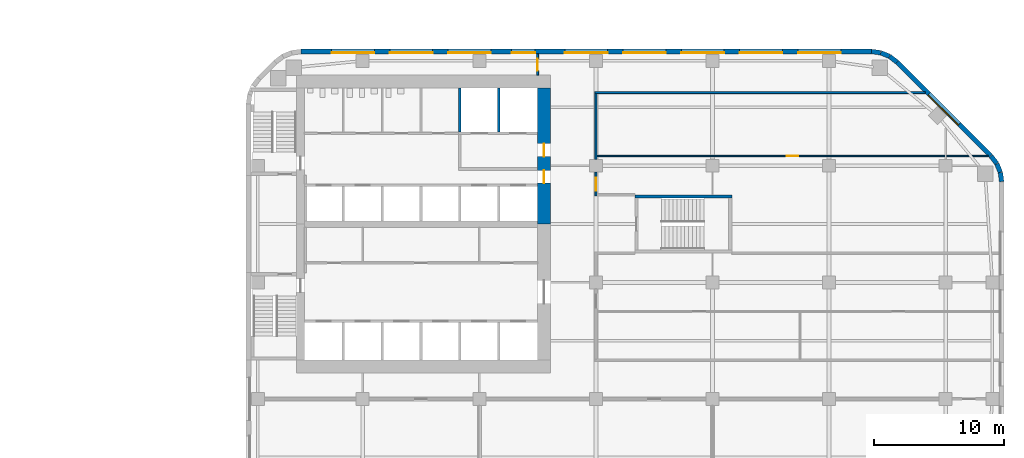
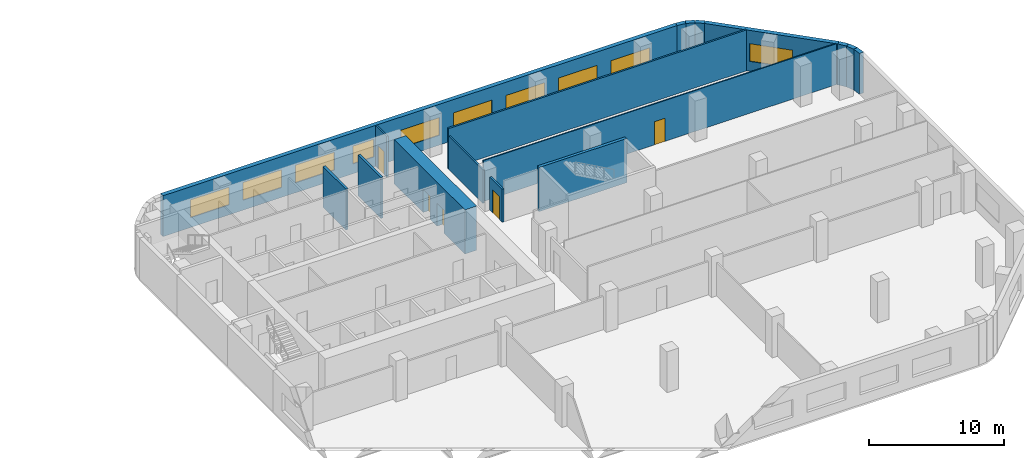
# One storey, part 11 of 15: 17 walls, 10 windows, 5 doors, 15 openings.
"""IFC4 building model written with IfcOpenShell, lengths in metres."""

from ifc_helpers import new_model, si_unit, direction, frame, frame_2d, origin, place, context, subcontext, project, spatial, rectangle, extrude, material, layer, layer_set, type_object, element, fill, save


model = new_model("IFC4")

# Units and contexts
model_context = context("Model", 3, precision=1e-05, world=origin(), true_north=direction((0.0, 1.0)))
body_context = subcontext(model_context, "Body", "Model", "MODEL_VIEW")
ifc_project = project(units=[si_unit("LENGTHUNIT", "METRE"), si_unit("AREAUNIT", "SQUARE_METRE"), si_unit("VOLUMEUNIT", "CUBIC_METRE"), si_unit("PLANEANGLEUNIT", "RADIAN"), si_unit("MASSUNIT", "GRAM", prefix="KILO")], contexts=[model_context])

# Site, building, storey
site_placement = place(None, origin())
site = spatial("IfcSite", under=ifc_project, at=site_placement, CompositionType="ELEMENT")
building_placement = place(site_placement, origin())
building = spatial("IfcBuilding", under=site, at=building_placement, Name="Cinnabar Reach Civic Tower", CompositionType="ELEMENT")
storey_placement = place(building_placement, frame((0.0, 0.0, 91.0)))
storey = spatial("IfcBuildingStorey", under=building, at=storey_placement, Name="L21", CompositionType="ELEMENT", Elevation=91.0)

# Walls
ifc_material_1 = material(Name="Facing brick with insulated backing", Category="masonry")
ifc_layer_1 = layer(ifc_material_1, 0.36)
ifc_layer_set_1 = layer_set([ifc_layer_1], Name="Brick corner wall")
wall_type_1 = type_object("IfcWallType", Name="Brick corner wall", PredefinedType="STANDARD", material=ifc_layer_set_1)
for number, where, z_axis, x_axis, name in (
    (1, (58.317, 34.7686, 0.0), (0.0, 0.0, 1.0), (-0.13055608231, 0.99144092581, 0.0), "Brick corner wall"),
    (2, (58.2181, 35.4973, 0.0), (0.0, 0.0, 1.0), (-0.382702709855, 0.923871547278, 0.0), "Brick corner wall"),
):
    element("IfcWall", number, at=place(storey_placement, frame(where, z_axis=z_axis, x_axis=x_axis)), inside=storey, type_object=wall_type_1, Name=name, PredefinedType="STANDARD", context=body_context, shape_type="SweptSolid", body=[
        extrude(rectangle(XDim=0.7131, YDim=0.36, at=frame_2d((0.3565, 0.0))), origin(), (0.0, 0.0, 1.0), 3.7),
    ])
for number, where, z_axis, x_axis, name in (
    (3, (57.934, 36.1755, 0.0), (0.0, 0.0, 1.0), (-0.608802368033, 0.793321924995, 0.0), "Brick corner wall"),
    (4, (50.2413, 43.9998, 0.0), (0.0, 0.0, 1.0), (-0.793321924995, 0.608802368033, 0.0), "Brick corner wall"),
):
    element("IfcWall", number, at=place(storey_placement, frame(where, z_axis=z_axis, x_axis=x_axis)), inside=storey, type_object=wall_type_1, Name=name, PredefinedType="STANDARD", context=body_context, shape_type="SweptSolid", body=[
        extrude(rectangle(XDim=0.7132, YDim=0.36, at=frame_2d((0.3566, 0.0))), origin(), (0.0, 0.0, 1.0), 3.7),
    ])
for number, where, z_axis, x_axis, name in (
    (5, (49.6561, 44.4452, 0.0), (0.0, 0.0, 1.0), (-0.923871547278, 0.382702709855, 0.0), "Brick corner wall"),
    (6, (48.9756, 44.7239, 0.0), (0.0, 0.0, 1.0), (-0.99144092581, 0.13055608231, 0.0), "Brick corner wall"),
):
    element("IfcWall", number, at=place(storey_placement, frame(where, z_axis=z_axis, x_axis=x_axis)), inside=storey, type_object=wall_type_1, Name=name, PredefinedType="STANDARD", context=body_context, shape_type="SweptSolid", body=[
        extrude(rectangle(XDim=0.7131, YDim=0.36, at=frame_2d((0.3565, 0.0))), origin(), (0.0, 0.0, 1.0), 3.7),
    ])

# Wall, opening, window
ifc_layer_2 = layer(ifc_material_1, 0.36)
ifc_layer_set_2 = layer_set([ifc_layer_2], Name="Brick pier and spandrel wall")
wall_type_2 = type_object("IfcWallType", Name="Brick pier and spandrel wall", PredefinedType="STANDARD", material=ifc_layer_set_2)
wall_1_placement = place(storey_placement, frame((57.494, 36.7514, 0.0), z_axis=(0.0, 0.0, 1.0), x_axis=(-0.707106781187, 0.707106781187, 0.0)))
wall_1 = element("IfcWall", 7, at=wall_1_placement, inside=storey, type_object=wall_type_2, Name="Brick facade wall", PredefinedType="STANDARD", context=body_context, shape_type="SweptSolid", body=[
    extrude(rectangle(XDim=10.2426, YDim=0.36, at=frame_2d((5.1213, 0.0))), origin(), (0.0, 0.0, 1.0), 3.7),
])
opening_1_placement = place(wall_1_placement, frame((3.4713, 0.0, 0.9)))
opening_1 = element("IfcOpeningElement", 8, at=opening_1_placement, cuts=wall_1, Name="Opening W1443", PredefinedType="OPENING", context=body_context, shape_type="SweptSolid", body=[
    extrude(rectangle(XDim=3.3, YDim=1.6, at=frame_2d((1.65, 0.8))), frame((0.0, 0.19, 0.0), z_axis=(0.0, -1.0, 0.0), x_axis=(1.0, 0.0, 0.0)), (0.0, 0.0, 1.0), 0.38),
])
ifc_material_2 = material(Name="Clear double glazing in aluminium frame", Category="aluminium")
window_type_1 = type_object("IfcWindowType", Name="Deep-set window A", PartitioningType="SINGLE_PANEL", PredefinedType="WINDOW", material=ifc_material_2)
window_1_placement = place(opening_1_placement, origin())
window_1 = element("IfcWindow", 9, at=window_1_placement, inside=storey, type_object=window_type_1, Name="Window northeast face", OverallHeight=1.6, OverallWidth=3.3, PartitioningType="SINGLE_PANEL", PredefinedType="WINDOW", context=body_context, shape_type="SweptSolid", body=[
    extrude(rectangle(XDim=3.3, YDim=1.6, at=frame_2d((1.65, 0.8))), frame((0.0, 0.13, 0.0), z_axis=(0.0, -1.0, 0.0), x_axis=(1.0, 0.0, 0.0)), (0.0, 0.0, 1.0), 0.06),
])
fill(opening_1, window_1)

# Wall, openings, windows
wall_2_placement = place(storey_placement, frame((48.2574, 44.82, 0.0), z_axis=(0.0, 0.0, 1.0), x_axis=(-1.0, 0.0, 0.0)))
wall_2 = element("IfcWall", 10, at=wall_2_placement, inside=storey, type_object=wall_type_2, Name="Brick facade wall", PredefinedType="STANDARD", context=body_context, shape_type="SweptSolid", body=[
    extrude(rectangle(XDim=44.0148, YDim=0.36, at=frame_2d((22.0074, 0.0))), origin(), (0.0, 0.0, 1.0), 3.7),
])
opening_2_placement = place(wall_2_placement, frame((2.3574, 0.0, 0.9)))
opening_2 = element("IfcOpeningElement", 11, at=opening_2_placement, cuts=wall_2, Name="Opening W1444", PredefinedType="OPENING", context=body_context, shape_type="SweptSolid", body=[
    extrude(rectangle(XDim=3.3, YDim=1.6, at=frame_2d((1.65, 0.8))), frame((0.0, 0.19, 0.0), z_axis=(0.0, -1.0, 0.0), x_axis=(1.0, 0.0, 0.0)), (0.0, 0.0, 1.0), 0.38),
])
opening_3_placement = place(wall_2_placement, frame((6.8574, 0.0, 0.9)))
opening_3 = element("IfcOpeningElement", 12, at=opening_3_placement, cuts=wall_2, Name="Opening W1445", PredefinedType="OPENING", context=body_context, shape_type="SweptSolid", body=[
    extrude(rectangle(XDim=3.3, YDim=1.6, at=frame_2d((1.65, 0.8))), frame((0.0, 0.19, 0.0), z_axis=(0.0, -1.0, 0.0), x_axis=(1.0, 0.0, 0.0)), (0.0, 0.0, 1.0), 0.38),
])
opening_4_placement = place(wall_2_placement, frame((11.3574, 0.0, 0.9)))
opening_4 = element("IfcOpeningElement", 13, at=opening_4_placement, cuts=wall_2, Name="Opening W1446", PredefinedType="OPENING", context=body_context, shape_type="SweptSolid", body=[
    extrude(rectangle(XDim=3.3, YDim=1.6, at=frame_2d((1.65, 0.8))), frame((0.0, 0.19, 0.0), z_axis=(0.0, -1.0, 0.0), x_axis=(1.0, 0.0, 0.0)), (0.0, 0.0, 1.0), 0.38),
])
opening_5_placement = place(wall_2_placement, frame((15.8574, 0.0, 0.9)))
opening_5 = element("IfcOpeningElement", 14, at=opening_5_placement, cuts=wall_2, Name="Opening W1447", PredefinedType="OPENING", context=body_context, shape_type="SweptSolid", body=[
    extrude(rectangle(XDim=3.3, YDim=1.6, at=frame_2d((1.65, 0.8))), frame((0.0, 0.19, 0.0), z_axis=(0.0, -1.0, 0.0), x_axis=(1.0, 0.0, 0.0)), (0.0, 0.0, 1.0), 0.38),
])
opening_6_placement = place(wall_2_placement, frame((20.3574, 0.0, 0.9)))
opening_6 = element("IfcOpeningElement", 15, at=opening_6_placement, cuts=wall_2, Name="Opening W1448", PredefinedType="OPENING", context=body_context, shape_type="SweptSolid", body=[
    extrude(rectangle(XDim=3.3, YDim=1.6, at=frame_2d((1.65, 0.8))), frame((0.0, 0.19, 0.0), z_axis=(0.0, -1.0, 0.0), x_axis=(1.0, 0.0, 0.0)), (0.0, 0.0, 1.0), 0.38),
])
opening_7_placement = place(wall_2_placement, frame((25.9574, 0.0, 0.9)))
opening_7 = element("IfcOpeningElement", 16, at=opening_7_placement, cuts=wall_2, Name="Opening W1449", PredefinedType="OPENING", context=body_context, shape_type="SweptSolid", body=[
    extrude(rectangle(XDim=1.8, YDim=1.6, at=frame_2d((0.9, 0.8))), frame((0.0, 0.19, 0.0), z_axis=(0.0, -1.0, 0.0), x_axis=(1.0, 0.0, 0.0)), (0.0, 0.0, 1.0), 0.38),
])
opening_8_placement = place(wall_2_placement, frame((29.3574, 0.0, 0.9)))
opening_8 = element("IfcOpeningElement", 17, at=opening_8_placement, cuts=wall_2, Name="Opening W1450", PredefinedType="OPENING", context=body_context, shape_type="SweptSolid", body=[
    extrude(rectangle(XDim=3.3, YDim=1.6, at=frame_2d((1.65, 0.8))), frame((0.0, 0.19, 0.0), z_axis=(0.0, -1.0, 0.0), x_axis=(1.0, 0.0, 0.0)), (0.0, 0.0, 1.0), 0.38),
])
opening_9_placement = place(wall_2_placement, frame((33.8574, 0.0, 0.9)))
opening_9 = element("IfcOpeningElement", 18, at=opening_9_placement, cuts=wall_2, Name="Opening W1451", PredefinedType="OPENING", context=body_context, shape_type="SweptSolid", body=[
    extrude(rectangle(XDim=3.3, YDim=1.6, at=frame_2d((1.65, 0.8))), frame((0.0, 0.19, 0.0), z_axis=(0.0, -1.0, 0.0), x_axis=(1.0, 0.0, 0.0)), (0.0, 0.0, 1.0), 0.38),
])
opening_10_placement = place(wall_2_placement, frame((38.3574, 0.0, 0.9)))
opening_10 = element("IfcOpeningElement", 19, at=opening_10_placement, cuts=wall_2, Name="Opening W1452", PredefinedType="OPENING", context=body_context, shape_type="SweptSolid", body=[
    extrude(rectangle(XDim=3.3, YDim=1.6, at=frame_2d((1.65, 0.8))), frame((0.0, 0.19, 0.0), z_axis=(0.0, -1.0, 0.0), x_axis=(1.0, 0.0, 0.0)), (0.0, 0.0, 1.0), 0.38),
])
window_2_placement = place(opening_2_placement, origin())
window_2 = element("IfcWindow", 20, at=window_2_placement, inside=storey, type_object=window_type_1, Name="Window north face", OverallHeight=1.6, OverallWidth=3.3, PartitioningType="SINGLE_PANEL", PredefinedType="WINDOW", context=body_context, shape_type="SweptSolid", body=[
    extrude(rectangle(XDim=3.3, YDim=1.6, at=frame_2d((1.65, 0.8))), frame((0.0, 0.13, 0.0), z_axis=(0.0, -1.0, 0.0), x_axis=(1.0, 0.0, 0.0)), (0.0, 0.0, 1.0), 0.06),
])
fill(opening_2, window_2)
window_3_placement = place(opening_3_placement, origin())
window_3 = element("IfcWindow", 21, at=window_3_placement, inside=storey, type_object=window_type_1, Name="Window north face", OverallHeight=1.6, OverallWidth=3.3, PartitioningType="SINGLE_PANEL", PredefinedType="WINDOW", context=body_context, shape_type="SweptSolid", body=[
    extrude(rectangle(XDim=3.3, YDim=1.6, at=frame_2d((1.65, 0.8))), frame((0.0, 0.13, 0.0), z_axis=(0.0, -1.0, 0.0), x_axis=(1.0, 0.0, 0.0)), (0.0, 0.0, 1.0), 0.06),
])
fill(opening_3, window_3)
window_4_placement = place(opening_4_placement, origin())
window_4 = element("IfcWindow", 22, at=window_4_placement, inside=storey, type_object=window_type_1, Name="Window north face", OverallHeight=1.6, OverallWidth=3.3, PartitioningType="SINGLE_PANEL", PredefinedType="WINDOW", context=body_context, shape_type="SweptSolid", body=[
    extrude(rectangle(XDim=3.3, YDim=1.6, at=frame_2d((1.65, 0.8))), frame((0.0, 0.13, 0.0), z_axis=(0.0, -1.0, 0.0), x_axis=(1.0, 0.0, 0.0)), (0.0, 0.0, 1.0), 0.06),
])
fill(opening_4, window_4)
window_5_placement = place(opening_5_placement, origin())
window_5 = element("IfcWindow", 23, at=window_5_placement, inside=storey, type_object=window_type_1, Name="Window north face", OverallHeight=1.6, OverallWidth=3.3, PartitioningType="SINGLE_PANEL", PredefinedType="WINDOW", context=body_context, shape_type="SweptSolid", body=[
    extrude(rectangle(XDim=3.3, YDim=1.6, at=frame_2d((1.65, 0.8))), frame((0.0, 0.13, 0.0), z_axis=(0.0, -1.0, 0.0), x_axis=(1.0, 0.0, 0.0)), (0.0, 0.0, 1.0), 0.06),
])
fill(opening_5, window_5)
window_6_placement = place(opening_6_placement, origin())
window_6 = element("IfcWindow", 24, at=window_6_placement, inside=storey, type_object=window_type_1, Name="Window north face", OverallHeight=1.6, OverallWidth=3.3, PartitioningType="SINGLE_PANEL", PredefinedType="WINDOW", context=body_context, shape_type="SweptSolid", body=[
    extrude(rectangle(XDim=3.3, YDim=1.6, at=frame_2d((1.65, 0.8))), frame((0.0, 0.13, 0.0), z_axis=(0.0, -1.0, 0.0), x_axis=(1.0, 0.0, 0.0)), (0.0, 0.0, 1.0), 0.06),
])
fill(opening_6, window_6)
window_7_placement = place(opening_8_placement, origin())
window_7 = element("IfcWindow", 25, at=window_7_placement, inside=storey, type_object=window_type_1, Name="Window north face", OverallHeight=1.6, OverallWidth=3.3, PartitioningType="SINGLE_PANEL", PredefinedType="WINDOW", context=body_context, shape_type="SweptSolid", body=[
    extrude(rectangle(XDim=3.3, YDim=1.6, at=frame_2d((1.65, 0.8))), frame((0.0, 0.13, 0.0), z_axis=(0.0, -1.0, 0.0), x_axis=(1.0, 0.0, 0.0)), (0.0, 0.0, 1.0), 0.06),
])
fill(opening_8, window_7)
window_8_placement = place(opening_9_placement, origin())
window_8 = element("IfcWindow", 26, at=window_8_placement, inside=storey, type_object=window_type_1, Name="Window north face", OverallHeight=1.6, OverallWidth=3.3, PartitioningType="SINGLE_PANEL", PredefinedType="WINDOW", context=body_context, shape_type="SweptSolid", body=[
    extrude(rectangle(XDim=3.3, YDim=1.6, at=frame_2d((1.65, 0.8))), frame((0.0, 0.13, 0.0), z_axis=(0.0, -1.0, 0.0), x_axis=(1.0, 0.0, 0.0)), (0.0, 0.0, 1.0), 0.06),
])
fill(opening_9, window_8)
window_9_placement = place(opening_10_placement, origin())
window_9 = element("IfcWindow", 27, at=window_9_placement, inside=storey, type_object=window_type_1, Name="Window north face", OverallHeight=1.6, OverallWidth=3.3, PartitioningType="SINGLE_PANEL", PredefinedType="WINDOW", context=body_context, shape_type="SweptSolid", body=[
    extrude(rectangle(XDim=3.3, YDim=1.6, at=frame_2d((1.65, 0.8))), frame((0.0, 0.13, 0.0), z_axis=(0.0, -1.0, 0.0), x_axis=(1.0, 0.0, 0.0)), (0.0, 0.0, 1.0), 0.06),
])
fill(opening_10, window_9)
window_type_2 = type_object("IfcWindowType", Name="Deep-set window D", PartitioningType="SINGLE_PANEL", PredefinedType="WINDOW", material=ifc_material_2)
window_10_placement = place(opening_7_placement, origin())
window_10 = element("IfcWindow", 28, at=window_10_placement, inside=storey, type_object=window_type_2, Name="Window north face", OverallHeight=1.6, OverallWidth=1.8, PartitioningType="SINGLE_PANEL", PredefinedType="WINDOW", context=body_context, shape_type="SweptSolid", body=[
    extrude(rectangle(XDim=1.8, YDim=1.6, at=frame_2d((0.9, 0.8))), frame((0.0, 0.13, 0.0), z_axis=(0.0, -1.0, 0.0), x_axis=(1.0, 0.0, 0.0)), (0.0, 0.0, 1.0), 0.06),
])
fill(opening_7, window_10)

# Wall, openings, doors
ifc_material_3 = material(Name="Concrete C70", Category="concrete")
ifc_layer_3 = layer(ifc_material_3, 1.0)
ifc_layer_set_3 = layer_set([ifc_layer_3], Name="Core wall 1000 EI 180")
wall_type_3 = type_object("IfcWallType", Name="Core wall 1000 EI 180", PredefinedType="SOLIDWALL", material=ifc_layer_set_3)
wall_3_placement = place(storey_placement, frame((23.0, 31.5, 0.0), z_axis=(0.0, 0.0, 1.0), x_axis=(0.0, 1.0, 0.0)))
wall_3 = element("IfcWall", 29, at=wall_3_placement, inside=storey, type_object=wall_type_3, Name="Core wall T1 L21 E2", PredefinedType="SOLIDWALL", context=body_context, shape_type="SweptSolid", body=[
    extrude(rectangle(XDim=10.5, YDim=1.0, at=frame_2d((5.25, 0.0))), origin(), (0.0, 0.0, 1.0), 4.0),
])
opening_11_placement = place(wall_3_placement, frame((3.15, 0.0, 0.0)))
opening_11 = element("IfcOpeningElement", 30, at=opening_11_placement, cuts=wall_3, Name="Opening D3858", PredefinedType="OPENING", context=body_context, shape_type="SweptSolid", body=[
    extrude(rectangle(XDim=1.0, YDim=2.1, at=frame_2d((0.5, 1.05))), frame((0.0, 0.51, 0.0), z_axis=(0.0, -1.0, 0.0), x_axis=(1.0, 0.0, 0.0)), (0.0, 0.0, 1.0), 1.02),
])
opening_12_placement = place(wall_3_placement, frame((5.2, 0.0, 0.0)))
opening_12 = element("IfcOpeningElement", 31, at=opening_12_placement, cuts=wall_3, Name="Opening D3859", PredefinedType="OPENING", context=body_context, shape_type="SweptSolid", body=[
    extrude(rectangle(XDim=1.0, YDim=2.1, at=frame_2d((0.5, 1.05))), frame((0.0, 0.51, 0.0), z_axis=(0.0, -1.0, 0.0), x_axis=(1.0, 0.0, 0.0)), (0.0, 0.0, 1.0), 1.02),
])
ifc_material_4 = material(Name="Timber door leaf in steel frame", Category="steel")
door_type_1 = type_object("IfcDoorType", Name="Firefighting lobby door 1000 x 2100 T1", OperationType="SINGLE_SWING_LEFT", PredefinedType="DOOR", material=ifc_material_4)
door_1_placement = place(opening_12_placement, origin())
door_1 = element("IfcDoor", 32, at=door_1_placement, inside=storey, type_object=door_type_1, Name="Door D3859", OperationType="SINGLE_SWING_LEFT", OverallHeight=2.1, OverallWidth=1.0, PredefinedType="DOOR", context=body_context, shape_type="SweptSolid", body=[
    extrude(rectangle(XDim=1.0, YDim=2.1, at=frame_2d((0.5, 1.05))), frame((0.0, 0.025, 0.0), z_axis=(0.0, -1.0, 0.0), x_axis=(1.0, 0.0, 0.0)), (0.0, 0.0, 1.0), 0.05),
])
fill(opening_12, door_1)
door_type_2 = type_object("IfcDoorType", Name="Single swing door 1000 x 2100 T1", OperationType="SINGLE_SWING_LEFT", PredefinedType="DOOR", material=ifc_material_4)
door_2_placement = place(opening_11_placement, origin())
door_2 = element("IfcDoor", 33, at=door_2_placement, inside=storey, type_object=door_type_2, Name="Door D3858", OperationType="SINGLE_SWING_RIGHT", OverallHeight=2.1, OverallWidth=1.0, PredefinedType="DOOR", context=body_context, shape_type="SweptSolid", body=[
    extrude(rectangle(XDim=1.0, YDim=2.1, at=frame_2d((0.5, 1.05))), frame((0.0, 0.025, 0.0), z_axis=(0.0, -1.0, 0.0), x_axis=(1.0, 0.0, 0.0)), (0.0, 0.0, 1.0), 0.05),
])
fill(opening_11, door_2)

# Wall
ifc_material_5 = material(Name="Gypsum board on steel studs, double layer", Category="steel")
ifc_layer_4 = layer(ifc_material_5, 0.15)
ifc_layer_set_4 = layer_set([ifc_layer_4], Name="Corridor wall 150 T1")
wall_type_4 = type_object("IfcWallType", Name="Corridor wall 150 T1", PredefinedType="PARTITIONING", material=ifc_layer_set_4)
wall_4_placement = place(storey_placement, frame((26.925, 41.65, 0.0), z_axis=(0.0, 0.0, 1.0), x_axis=(1.0, 0.0, 0.0)))
element("IfcWall", 34, at=wall_4_placement, inside=storey, type_object=wall_type_4, Name="Corridor wall 27", PredefinedType="PARTITIONING", context=body_context, shape_type="SweptSolid", body=[
    extrude(rectangle(XDim=25.4909, YDim=0.15, at=frame_2d((12.7454, 0.0))), origin(), (0.0, 0.0, 1.0), 3.7),
])

# Wall, opening, door
wall_5_placement = place(storey_placement, frame((27.0, 33.675, 0.0), z_axis=(0.0, 0.0, 1.0), x_axis=(0.0, 1.0, 0.0)))
wall_5 = element("IfcWall", 35, at=wall_5_placement, inside=storey, type_object=wall_type_4, Name="Corridor wall 32", PredefinedType="PARTITIONING", context=body_context, shape_type="SweptSolid", body=[
    extrude(rectangle(XDim=1.825, YDim=0.15, at=frame_2d((0.9125, 0.0))), origin(), (0.0, 0.0, 1.0), 3.008),
])
opening_13_placement = place(wall_5_placement, frame((0.4, 0.0, 0.0)))
opening_13 = element("IfcOpeningElement", 36, at=opening_13_placement, cuts=wall_5, Name="Opening D3868", PredefinedType="OPENING", context=body_context, shape_type="SweptSolid", body=[
    extrude(rectangle(XDim=1.0, YDim=2.1, at=frame_2d((0.5, 1.05))), frame((0.0, 0.085, 0.0), z_axis=(0.0, -1.0, 0.0), x_axis=(1.0, 0.0, 0.0)), (0.0, 0.0, 1.0), 0.17),
])
door_type_3 = type_object("IfcDoorType", Name="Tenancy entrance door 1000 x 2100 T1", OperationType="SINGLE_SWING_LEFT", PredefinedType="DOOR", material=ifc_material_4)
door_3_placement = place(opening_13_placement, frame((1.0, 0.0, 0.0), z_axis=(0.0, 0.0, 1.0), x_axis=(-1.0, 0.0, 0.0)))
door_3 = element("IfcDoor", 37, at=door_3_placement, inside=storey, type_object=door_type_3, Name="Door D3868", OperationType="SINGLE_SWING_RIGHT", OverallHeight=2.1, OverallWidth=1.0, PredefinedType="DOOR", context=body_context, shape_type="SweptSolid", body=[
    extrude(rectangle(XDim=1.0, YDim=2.1, at=frame_2d((0.5, 1.05))), frame((0.0, 0.025, 0.0), z_axis=(0.0, -1.0, 0.0), x_axis=(1.0, 0.0, 0.0)), (0.0, 0.0, 1.0), 0.05),
])
fill(opening_13, door_3)

# Wall
wall_6_placement = place(storey_placement, frame((27.0, 36.5, 0.0), z_axis=(0.0, 0.0, 1.0), x_axis=(0.0, 1.0, 0.0)))
element("IfcWall", 38, at=wall_6_placement, inside=storey, type_object=wall_type_4, Name="Corridor wall 33", PredefinedType="PARTITIONING", context=body_context, shape_type="SweptSolid", body=[
    extrude(rectangle(XDim=5.075, YDim=0.15, at=frame_2d((2.5375, 0.0))), origin(), (0.0, 0.0, 1.0), 3.008),
])

# Wall, opening, door
wall_7_placement = place(storey_placement, frame((22.5, 43.0, 0.0), z_axis=(0.0, 0.0, 1.0), x_axis=(0.0, 1.0, 0.0)))
wall_7 = element("IfcWall", 39, at=wall_7_placement, inside=storey, type_object=wall_type_4, Name="Corridor wall 38", PredefinedType="PARTITIONING", context=body_context, shape_type="SweptSolid", body=[
    extrude(rectangle(XDim=1.64, YDim=0.15, at=frame_2d((0.82, 0.0))), origin(), (0.0, 0.0, 1.0), 3.7),
])
opening_14_placement = place(wall_7_placement, frame((0.35, 0.0, 0.0)))
opening_14 = element("IfcOpeningElement", 40, at=opening_14_placement, cuts=wall_7, Name="Opening D5785", PredefinedType="OPENING", context=body_context, shape_type="SweptSolid", body=[
    extrude(rectangle(XDim=0.9, YDim=2.1, at=frame_2d((0.45, 1.05))), frame((0.0, 0.085, 0.0), z_axis=(0.0, -1.0, 0.0), x_axis=(1.0, 0.0, 0.0)), (0.0, 0.0, 1.0), 0.17),
])
door_type_4 = type_object("IfcDoorType", Name="Single swing door 900 x 2100 corridor T1", OperationType="SINGLE_SWING_LEFT", PredefinedType="DOOR", material=ifc_material_4)
door_4_placement = place(opening_14_placement, origin())
door_4 = element("IfcDoor", 41, at=door_4_placement, inside=storey, type_object=door_type_4, Name="Door D5785", OperationType="SINGLE_SWING_LEFT", OverallHeight=2.1, OverallWidth=0.9, PredefinedType="DOOR", context=body_context, shape_type="SweptSolid", body=[
    extrude(rectangle(XDim=0.9, YDim=2.1, at=frame_2d((0.45, 1.05))), frame((0.0, 0.025, 0.0), z_axis=(0.0, -1.0, 0.0), x_axis=(1.0, 0.0, 0.0)), (0.0, 0.0, 1.0), 0.05),
])
fill(opening_14, door_4)

# Walls
ifc_material_6 = material(Name="Blockwork", Category="masonry")
ifc_layer_5 = layer(ifc_material_6, 0.2)
ifc_layer_set_5 = layer_set([ifc_layer_5], Name="Lift shaft wall 200 T1")
wall_type_5 = type_object("IfcWallType", Name="Lift shaft wall 200 T1", PredefinedType="PARTITIONING", material=ifc_layer_set_5)
for number, where, z_axis, x_axis, name in (
    (42, (16.5, 38.6, 0.0), (0.0, 0.0, 1.0), (0.0, 1.0, 0.0), "Lift shaft wall 6"),
    (43, (19.5, 38.6, 0.0), (0.0, 0.0, 1.0), (0.0, 1.0, 0.0), "Lift shaft wall 7"),
):
    element("IfcWall", number, at=place(storey_placement, frame(where, z_axis=z_axis, x_axis=x_axis)), inside=storey, type_object=wall_type_5, Name=name, PredefinedType="PARTITIONING", context=body_context, shape_type="SweptSolid", body=[
        extrude(rectangle(XDim=3.4, YDim=0.2, at=frame_2d((1.7, 0.0))), origin(), (0.0, 0.0, 1.0), 3.7),
    ])

# Wall, opening, door
ifc_material_7 = material(Name="Gypsum board on steel studs", Category="steel")
ifc_layer_6 = layer(ifc_material_7, 0.1)
ifc_layer_set_6 = layer_set([ifc_layer_6], Name="Partition wall 100 T1")
wall_type_6 = type_object("IfcWallType", Name="Partition wall 100 T1", PredefinedType="PARTITIONING", material=ifc_layer_set_6)
wall_8_placement = place(storey_placement, frame((27.075, 36.75, 0.0), z_axis=(0.0, 0.0, 1.0), x_axis=(1.0, 0.0, 0.0)))
wall_8 = element("IfcWall", 44, at=wall_8_placement, inside=storey, type_object=wall_type_6, Name="Partition wall 43", PredefinedType="PARTITIONING", context=body_context, shape_type="SweptSolid", body=[
    extrude(rectangle(XDim=30.2159, YDim=0.1, at=frame_2d((15.108, 0.0))), origin(), (0.0, 0.0, 1.0), 3.7),
])
opening_15_placement = place(wall_8_placement, frame((14.65, 0.0, 0.0)))
opening_15 = element("IfcOpeningElement", 45, at=opening_15_placement, cuts=wall_8, Name="Opening D3869", PredefinedType="OPENING", context=body_context, shape_type="SweptSolid", body=[
    extrude(rectangle(XDim=0.9, YDim=2.1, at=frame_2d((0.45, 1.05))), frame((0.0, 0.06, 0.0), z_axis=(0.0, -1.0, 0.0), x_axis=(1.0, 0.0, 0.0)), (0.0, 0.0, 1.0), 0.12),
])
door_type_5 = type_object("IfcDoorType", Name="Single swing door 900 x 2100 T1", OperationType="SINGLE_SWING_LEFT", PredefinedType="DOOR", material=ifc_material_4)
door_5_placement = place(opening_15_placement, origin())
door_5 = element("IfcDoor", 46, at=door_5_placement, inside=storey, type_object=door_type_5, Name="Door D3869", OperationType="SINGLE_SWING_RIGHT", OverallHeight=2.1, OverallWidth=0.9, PredefinedType="DOOR", context=body_context, shape_type="SweptSolid", body=[
    extrude(rectangle(XDim=0.9, YDim=2.1, at=frame_2d((0.45, 1.05))), frame((0.0, 0.025, 0.0), z_axis=(0.0, -1.0, 0.0), x_axis=(1.0, 0.0, 0.0)), (0.0, 0.0, 1.0), 0.05),
])
fill(opening_15, door_5)

# Wall
ifc_material_8 = material(Name="Concrete C60", Category="concrete")
ifc_layer_7 = layer(ifc_material_8, 0.25)
ifc_layer_set_7 = layer_set([ifc_layer_7], Name="Stair shaft wall 250 EI 120")
wall_type_7 = type_object("IfcWallType", Name="Stair shaft wall 250 EI 120", PredefinedType="SOLIDWALL", material=ifc_layer_set_7)
wall_9_placement = place(storey_placement, frame((37.5, 33.625, 0.0), z_axis=(0.0, 0.0, 1.0), x_axis=(-1.0, 0.0, 0.0)))
element("IfcWall", 47, at=wall_9_placement, inside=storey, type_object=wall_type_7, Name="Stair shaft wall T1-S3 L21", PredefinedType="SOLIDWALL", context=body_context, shape_type="SweptSolid", body=[
    extrude(rectangle(XDim=7.5, YDim=0.25, at=frame_2d((3.75, 0.0))), origin(), (0.0, 0.0, 1.0), 4.0),
])

save(model, "model.ifc")
